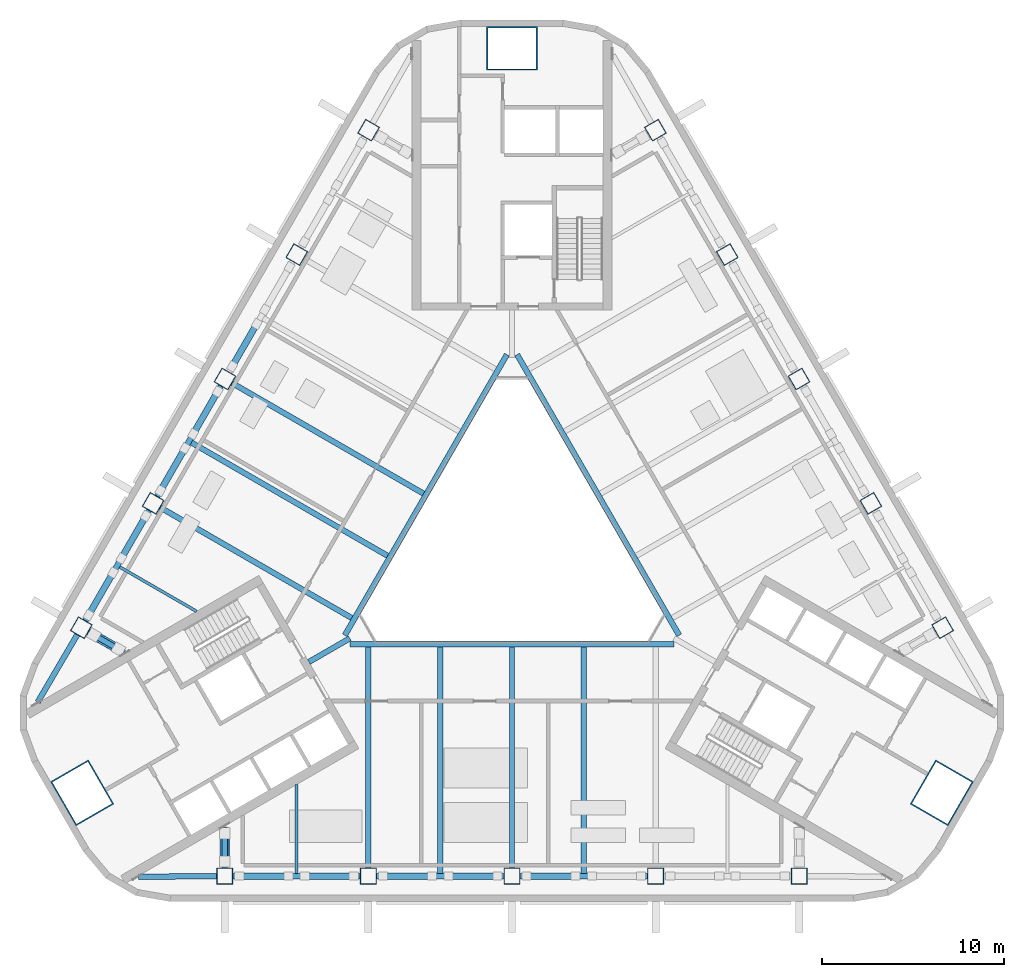
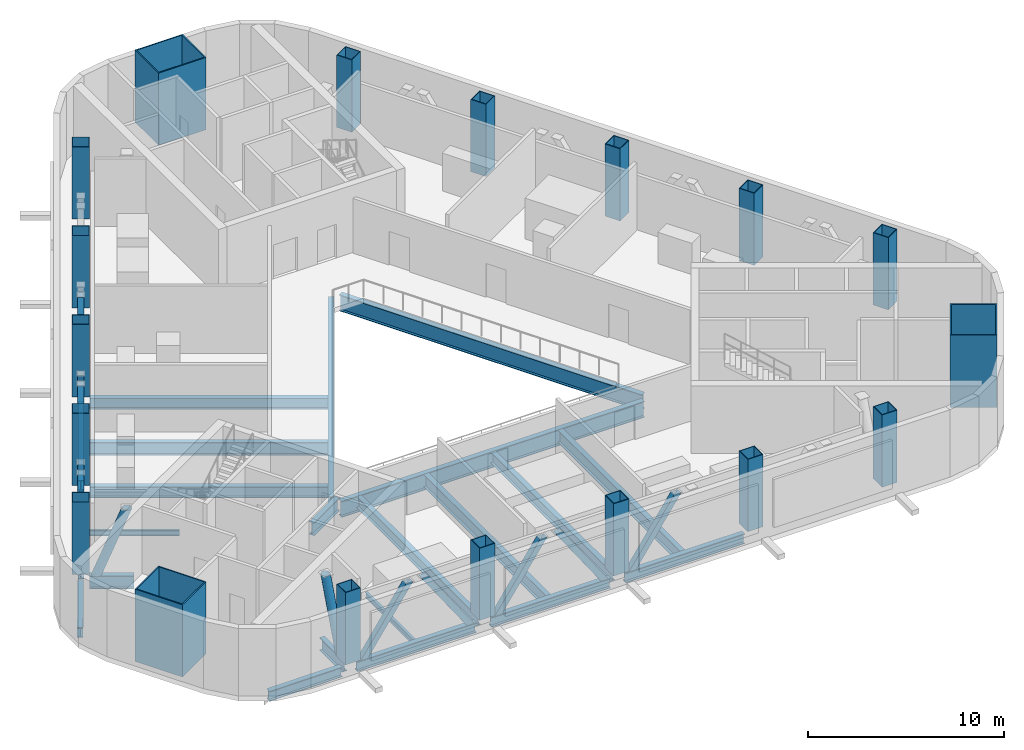
# One storey, part 1 of 15: 21 members, 18 columns, 13 beams.
"""IFC4 building model written with IfcOpenShell, lengths in metres."""

import ifcopenshell
import ifcopenshell.guid

model = None  # the IFC model being written
_history = None  # IfcOwnerHistory: only IFC2X3 demands one
_inside = {}  # id of a spatial element -> (the spatial element, [elements in it])
_under = {}  # id of a project, library or spatial element -> (it, [spatial elements below it])
_declared = {}  # id of a project -> (the project, [libraries it declares])
_typed = {}  # id of a type object -> (the type object, [elements of that type])
_made_of = {}  # id of a material, layer set ... -> (it, [elements and type objects made of it])


def new_model(schema):
    """Start an empty IFC model of exactly this schema.

    Asked for "IFC4X3", IfcOpenShell would pick the latest addendum, in which some entities
    have other attributes; the version numbers below select the first issue.
    IFC2X3 requires an IfcOwnerHistory on every rooted entity: one is made here for all.
    """
    global model, _history
    if schema == "IFC4X3":
        model = ifcopenshell.file(schema_version=(4, 3, 0, 0))
    else:
        model = ifcopenshell.file(schema=schema)
    _inside.clear()
    _under.clear()
    _declared.clear()
    _typed.clear()
    _made_of.clear()
    _history = None
    if model.schema == "IFC2X3":
        org = make("IfcOrganization", Name="unknown")
        user = make(
            "IfcPersonAndOrganization",
            ThePerson=make("IfcPerson", FamilyName="unknown"),
            TheOrganization=org,
        )
        app = make(
            "IfcApplication",
            ApplicationDeveloper=org,
            Version="unknown",
            ApplicationFullName="unknown",
            ApplicationIdentifier="unknown",
        )
        _history = make(
            "IfcOwnerHistory",
            OwningUser=user,
            OwningApplication=app,
            ChangeAction="ADDED",
            CreationDate=0,
        )
    return model


def make(cls, **values):
    """One entity of the class cls with the attributes given. An attribute that is None is left unset."""
    return model.create_entity(
        cls, **{name: value for name, value in values.items() if value is not None}
    )


def rooted(cls, **values):
    """An entity with a GlobalId (a new one), such as an element, a storey or a relation."""
    return make(cls, GlobalId=ifcopenshell.guid.new(), OwnerHistory=_history, **values)


def si_unit(unit_type, name, prefix=None):
    """IfcSIUnit, for example si_unit("LENGTHUNIT", "METRE", prefix="MILLI")."""
    return make("IfcSIUnit", UnitType=unit_type, Prefix=prefix, Name=name)


def assignment(units):
    """IfcUnitAssignment: the units of a project."""
    return None if units is None else make("IfcUnitAssignment", Units=units)


def point(xyz):
    """IfcCartesianPoint."""
    return None if xyz is None else make("IfcCartesianPoint", Coordinates=xyz)


def direction(xyz):
    """IfcDirection."""
    return None if xyz is None else make("IfcDirection", DirectionRatios=xyz)


def frame(location, z_axis=None, x_axis=None):
    """IfcAxis2Placement3D, a coordinate frame: its origin and axes. An axis left out is left unset."""
    return make(
        "IfcAxis2Placement3D",
        Location=point(location),
        Axis=direction(z_axis),
        RefDirection=direction(x_axis),
    )


def frame_2d(location, x_axis=None):
    """IfcAxis2Placement2D, a coordinate frame in the plane: its origin and x axis."""
    return make(
        "IfcAxis2Placement2D", Location=point(location), RefDirection=direction(x_axis)
    )


def origin():
    """The frame at (0, 0, 0) with its axes left unset."""
    return frame((0.0, 0.0, 0.0))


def origin_2d():
    """The frame at (0, 0) in the plane with its x axis left unset."""
    return frame_2d((0.0, 0.0))


def place(relative_to, where):
    """IfcLocalPlacement: puts the frame where relative to a parent placement (None: the world)."""
    return make(
        "IfcLocalPlacement", PlacementRelTo=relative_to, RelativePlacement=where
    )


def context(
    kind, dimensions, precision=None, world=None, true_north=None, identifier=None
):
    """IfcGeometricRepresentationContext, for example the 3D "Model" context."""
    return make(
        "IfcGeometricRepresentationContext",
        ContextIdentifier=identifier,
        ContextType=kind,
        CoordinateSpaceDimension=dimensions,
        Precision=precision,
        WorldCoordinateSystem=world,
        TrueNorth=true_north,
    )


def subcontext(parent, identifier, kind, view, scale=None):
    """IfcGeometricRepresentationSubContext, for example "Body" below "Model"."""
    return make(
        "IfcGeometricRepresentationSubContext",
        ContextIdentifier=identifier,
        ContextType=kind,
        ParentContext=parent,
        TargetScale=scale,
        TargetView=view,
    )


def project(units=None, contexts=None):
    """IfcProject with its units and contexts."""
    return rooted(
        "IfcProject",
        Name="project",
        RepresentationContexts=contexts,
        UnitsInContext=assignment(units),
    )


def spatial(cls, under=None, at=None, **own):
    """A site, building, storey or space (cls), placed at a placement, below another one or the project."""
    s = rooted(cls, ObjectPlacement=at, **own)
    if under is not None:
        _under.setdefault(under.id(), (under, []))[1].append(s)
    return s


def profile(cls, at=None, kind="AREA", **sizes):
    """A parametric profile (cls). Its sizes go by their IFC names, for example OverallWidth=200.0."""
    return make(cls, ProfileType=kind, Position=at, **sizes)


def rectangle(**sizes):
    """IfcRectangleProfileDef."""
    return profile("IfcRectangleProfileDef", **sizes)


def hollow_rectangle(**sizes):
    """IfcRectangleHollowProfileDef."""
    return profile("IfcRectangleHollowProfileDef", **sizes)


def hollow_circle(**sizes):
    """IfcCircleHollowProfileDef."""
    return profile("IfcCircleHollowProfileDef", **sizes)


def i_section(**sizes):
    """IfcIShapeProfileDef."""
    return profile("IfcIShapeProfileDef", **sizes)


def extrude(swept, where, along, depth):
    """IfcExtrudedAreaSolid: the profile swept, set in the frame where, extruded along a direction by depth."""
    return make(
        "IfcExtrudedAreaSolid",
        SweptArea=swept,
        Position=where,
        ExtrudedDirection=direction(along),
        Depth=depth,
    )


def boolean(op, a, b):
    """IfcBooleanResult of two solids."""
    return make("IfcBooleanResult", Operator=op, FirstOperand=a, SecondOperand=b)


def halfspace(plane, agree):
    """IfcHalfSpaceSolid: all space on one side of the plane z = 0 of the frame plane."""
    return make(
        "IfcHalfSpaceSolid",
        BaseSurface=make("IfcPlane", Position=plane),
        AgreementFlag=agree,
    )


def shape(context_of_items, identifier, shape_type, items):
    """IfcShapeRepresentation: the items that make up one representation, for example the "Body"."""
    return make(
        "IfcShapeRepresentation",
        ContextOfItems=context_of_items,
        RepresentationIdentifier=identifier,
        RepresentationType=shape_type,
        Items=items,
    )


def material(Name=None, Category=None):
    """IfcMaterial."""
    return make("IfcMaterial", Name=Name, Category=Category)


def material_profile(
    of_material, cross_section, Name=None, Category=None, Priority=None
):
    """IfcMaterialProfile: a cross section and its material."""
    return make(
        "IfcMaterialProfile",
        Name=Name,
        Material=of_material,
        Profile=cross_section,
        Priority=Priority,
        Category=Category,
    )


def profile_set(profiles, Name=None, composite=None):
    """IfcMaterialProfileSet."""
    return make(
        "IfcMaterialProfileSet",
        Name=Name,
        MaterialProfiles=profiles,
        CompositeProfile=composite,
    )


def made_of(thing, what):
    """Note that an element or type object is made of a material, layer set ...; save() writes the relation."""
    if what is not None:
        _made_of.setdefault(what.id(), (what, []))[1].append(thing)
    return thing


def type_object(cls, material=None, **own):
    """A type object (cls), such as IfcWallType, which elements share."""
    return made_of(rooted(cls, **own), material)


def element(
    cls,
    number,
    at=None,
    inside=None,
    cuts=None,
    type_object=None,
    material=None,
    context=None,
    identifier="Body",
    shape_type=None,
    held_by="IfcProductDefinitionShape",
    body=None,
    shapes=None,
    **own,
):
    """One element of the class cls, such as IfcWall. Its Tag is "e" and its number.

    at: its placement. inside: the storey or other place that contains it. cuts: it is an
    opening in that element (IfcRelVoidsElement). A single representation is given by context,
    identifier, shape_type and body (its items); several are given by shapes. held_by: the class
    of the entity that holds the representations. save() writes the other relations.
    """
    e = rooted(cls, Tag="e%d" % number, ObjectPlacement=at, **own)
    if body is not None:
        shapes = [shape(context, identifier, shape_type, body)]
    if shapes is not None:
        e.Representation = make(held_by, Representations=shapes)
    if inside is not None:
        _inside.setdefault(inside.id(), (inside, []))[1].append(e)
    if cuts is not None:
        rooted(
            "IfcRelVoidsElement", RelatingBuildingElement=cuts, RelatedOpeningElement=e
        )
    if type_object is not None:
        _typed.setdefault(type_object.id(), (type_object, []))[1].append(e)
    return made_of(e, material)


def aggregate(whole, parts):
    """IfcRelAggregates: a whole, such as a stair, and the parts it consists of."""
    return rooted("IfcRelAggregates", RelatingObject=whole, RelatedObjects=parts)


def save(model, path):
    """Write the relations noted so far, then the file.

    IfcRelAggregates (storeys below a building ...), IfcRelContainedInSpatialStructure (elements
    in a storey), IfcRelDefinesByType, IfcRelAssociatesMaterial and IfcRelDeclares: one each for
    every whole, place, type object, material and project.
    """
    for whole, parts in _under.values():
        aggregate(whole, parts)
    for where, things in _inside.values():
        rooted(
            "IfcRelContainedInSpatialStructure",
            RelatedElements=things,
            RelatingStructure=where,
        )
    for kind, things in _typed.values():
        rooted("IfcRelDefinesByType", RelatedObjects=things, RelatingType=kind)
    for what, things in _made_of.values():
        rooted("IfcRelAssociatesMaterial", RelatedObjects=things, RelatingMaterial=what)
    for by, libraries in _declared.values():
        rooted("IfcRelDeclares", RelatingContext=by, RelatedDefinitions=libraries)
    model.write(path)


model = new_model("IFC4")

# Units and contexts
model_context = context("Model", 3, precision=1e-05, world=origin(), true_north=direction((0.0, 1.0)))
body_context = subcontext(model_context, "Body", "Model", "MODEL_VIEW")
ifc_project = project(units=[si_unit("LENGTHUNIT", "METRE"), si_unit("AREAUNIT", "SQUARE_METRE"), si_unit("VOLUMEUNIT", "CUBIC_METRE"), si_unit("PLANEANGLEUNIT", "RADIAN"), si_unit("MASSUNIT", "GRAM", prefix="KILO")], contexts=[model_context])

# Site, building, storey
site_placement = place(None, origin())
site = spatial("IfcSite", under=ifc_project, at=site_placement, CompositionType="ELEMENT")
building_placement = place(site_placement, origin())
building = spatial("IfcBuilding", under=site, at=building_placement, Name="Apuvela Tower Hotel", CompositionType="ELEMENT")
storey_placement = place(building_placement, frame((0.0, 0.0, 137.60009765625)))
storey = spatial("IfcBuildingStorey", under=building, at=storey_placement, Name="L32 Plant", CompositionType="ELEMENT", Elevation=137.60009765625)

# Columns
ifc_material_1 = material(Name="Steel S460", Category="steel")
ifc_material_profile_1 = material_profile(ifc_material_1, hollow_rectangle(XDim=2.800048828125, YDim=2.39990234375, WallThickness=0.070068359375, at=origin_2d()), Name="BOX 2800x2400x70")
ifc_material_2 = material(Name="Concrete C80/95", Category="concrete")
ifc_material_profile_2 = material_profile(ifc_material_2, rectangle(XDim=2.659912109375, YDim=2.260009765625, at=origin_2d()), Name="Concrete C80/95 infill")
ifc_profile_set_1 = profile_set([ifc_material_profile_1, ifc_material_profile_2], Name="Steel S460")
column_type_1 = type_object("IfcColumnType", Name="STR-MC mega column BOX 2800x2400x70", PredefinedType="COLUMN", material=ifc_profile_set_1)
for number, where, z_axis, x_axis, name in (
    (1, (0.0, 27.300048828125, 0.0), (0.0, 0.0, 1.0), (1.0, 0.0, 0.0), "Mega column MC2 N"),
    (2, (-23.642578125, -13.64990234375, 0.0), (0.0, 0.0, 1.0), (-0.5, 0.866025403784, 0.0), "Mega column MC2 SW"),
    (3, (23.642578125, -13.64990234375, 0.0), (0.0, 0.0, 1.0), (0.5, 0.866025403784, 0.0), "Mega column MC2 SE"),
):
    element("IfcColumn", number, at=place(storey_placement, frame(where, z_axis=z_axis, x_axis=x_axis)), inside=storey, type_object=column_type_1, Name=name, PredefinedType="COLUMN", context=body_context, shape_type="SweptSolid", body=[
        extrude(hollow_rectangle(XDim=2.800048828125, YDim=2.39990234375, WallThickness=0.070068359375, at=origin_2d()), origin(), (0.0, 0.0, 1.0), 4.5),
    ])
ifc_material_profile_3 = material_profile(ifc_material_1, hollow_rectangle(XDim=0.89990234375, YDim=0.89990234375, WallThickness=0.0400390625, at=origin_2d()), Name="BOX 900x900x40")
ifc_material_profile_4 = material_profile(ifc_material_2, rectangle(XDim=0.820068359375, YDim=0.820068359375, at=origin_2d()), Name="Concrete C80/95 infill")
ifc_profile_set_2 = profile_set([ifc_material_profile_3, ifc_material_profile_4], Name="Steel S460")
column_type_2 = type_object("IfcColumnType", Name="STR-PC perimeter column BOX 900x900x40", PredefinedType="COLUMN", material=ifc_profile_set_2)
for number, where, z_axis, x_axis, name in (
    (4, (-15.800048828125, -18.22998046875, 0.0), (0.0, 0.0, 1.0), (-1.0, 0.0, 0.0), "Perimeter column C3 S1"),
    (5, (-7.89990234375, -18.22998046875, 0.0), (0.0, 0.0, 1.0), (-1.0, 0.0, 0.0), "Perimeter column C3 S2"),
    (6, (0.0, -18.22998046875, 0.0), (0.0, 0.0, 1.0), (-1.0, 0.0, 0.0), "Perimeter column C3 S3"),
    (7, (7.89990234375, -18.22998046875, 0.0), (0.0, 0.0, 1.0), (-1.0, 0.0, 0.0), "Perimeter column C3 S4"),
    (8, (15.800048828125, -18.22998046875, 0.0), (0.0, 0.0, 1.0), (-1.0, 0.0, 0.0), "Perimeter column C3 S5"),
    (9, (23.6875, -4.568115234375, 0.0), (0.0, 0.0, 1.0), (-0.5, 0.866025403784, 0.0), "Perimeter column C3 NE1"),
    (10, (19.737548828125, 2.2734375, 0.0), (0.0, 0.0, 1.0), (-0.5, 0.866025403784, 0.0), "Perimeter column C3 NE2"),
    (11, (15.78759765625, 9.114990234375, 0.0), (0.0, 0.0, 1.0), (-0.5, 0.866025403784, 0.0), "Perimeter column C3 NE3"),
    (12, (11.837646484375, 15.95654296875, 0.0), (0.0, 0.0, 1.0), (-0.5, 0.866025403784, 0.0), "Perimeter column C3 NE4"),
    (13, (7.8876953125, 22.798095703125, 0.0), (0.0, 0.0, 1.0), (-0.5, 0.866025403784, 0.0), "Perimeter column C3 NE5"),
    (14, (-7.8876953125, 22.798095703125, 0.0), (0.0, 0.0, 1.0), (0.5, 0.866025403784, 0.0), "Perimeter column C3 NW1"),
    (15, (-11.837646484375, 15.95654296875, 0.0), (0.0, 0.0, 1.0), (0.5, 0.866025403784, 0.0), "Perimeter column C3 NW2"),
    (16, (-15.78759765625, 9.114990234375, 0.0), (0.0, 0.0, 1.0), (0.5, 0.866025403784, 0.0), "Perimeter column C3 NW3"),
    (17, (-19.737548828125, 2.2734375, 0.0), (0.0, 0.0, 1.0), (0.5, 0.866025403784, 0.0), "Perimeter column C3 NW4"),
    (18, (-23.6875, -4.568115234375, 0.0), (0.0, 0.0, 1.0), (0.5, 0.866025403784, 0.0), "Perimeter column C3 NW5"),
):
    element("IfcColumn", number, at=place(storey_placement, frame(where, z_axis=z_axis, x_axis=x_axis)), inside=storey, type_object=column_type_2, Name=name, PredefinedType="COLUMN", context=body_context, shape_type="SweptSolid", body=[
        extrude(hollow_rectangle(XDim=0.89990234375, YDim=0.89990234375, WallThickness=0.0400390625, at=origin_2d()), origin(), (0.0, 0.0, 1.0), 4.5),
    ])

# Beams
ifc_material_3 = material(Name="Steel S355", Category="steel")
ifc_material_profile_5 = material_profile(ifc_material_3, i_section(OverallWidth=0.300048828125, OverallDepth=0.68994140625, WebThickness=0.014404296875, FlangeThickness=0.027099609375, at=origin_2d()), Name="HE 700 A")
ifc_profile_set_3 = profile_set([ifc_material_profile_5], Name="Steel S355")
beam_type_1 = type_object("IfcBeamType", Name="STR-B floor beam HE 700 A", PredefinedType="BEAM", material=ifc_profile_set_3)
for number, where, z_axis, x_axis, name in (
    (19, (-15.39794921875, 8.889892578125, -0.64501953125), (0.866028751965, -0.499994200737, 0.0), (0.499994200737, 0.866028751965, 0.0), "Floor beam B6 NW5"),
    (20, (-19.347900390625, 2.04833984375, -0.64501953125), (0.866028751965, -0.499994200737, 0.0), (0.499994200737, 0.866028751965, 0.0), "Floor beam B6 NW7"),
    (21, (-7.89990234375, -17.780029296875, -0.64501953125), (0.0, 1.0, 0.0), (-1.0, 0.0, 0.0), "Floor beam B6 S3"),
    (22, (0.0, -17.780029296875, -0.64501953125), (0.0, 1.0, 0.0), (-1.0, 0.0, 0.0), "Floor beam B6 S5"),
):
    element("IfcBeam", number, at=place(storey_placement, frame(where, z_axis=z_axis, x_axis=x_axis)), inside=storey, type_object=beam_type_1, Name=name, PredefinedType="BEAM", context=body_context, shape_type="SweptSolid", body=[
        extrude(i_section(OverallWidth=0.300048828125, OverallDepth=0.68994140625, WebThickness=0.014404296875, FlangeThickness=0.027099609375, at=origin_2d()), origin(), (0.0, 0.0, 1.0), 12.157958984375),
    ])
ifc_material_profile_6 = material_profile(ifc_material_3, i_section(OverallWidth=0.300048828125, OverallDepth=0.7900390625, WebThickness=0.014892578125, FlangeThickness=0.028076171875, at=origin_2d()), Name="HE 800 A")
ifc_profile_set_4 = profile_set([ifc_material_profile_6], Name="Steel S355")
beam_type_2 = type_object("IfcBeamType", Name="STR-B floor beam HE 800 A", PredefinedType="BEAM", material=ifc_profile_set_4)
beam_1_placement = place(storey_placement, frame((-17.630615234375, 5.617919921875, -0.695068359375), z_axis=(0.866025971963, -0.499999015884, 0.0), x_axis=(0.499999015884, 0.866025971963, 0.0)))
element("IfcBeam", 23, at=beam_1_placement, inside=storey, type_object=beam_type_2, Name="Floor beam B5 NW6", PredefinedType="BEAM", context=body_context, shape_type="SweptSolid", body=[
    extrude(i_section(OverallWidth=0.300048828125, OverallDepth=0.7900390625, WebThickness=0.014892578125, FlangeThickness=0.028076171875, at=origin_2d()), origin(), (0.0, 0.0, 1.0), 12.45556640625),
])
for number, where, z_axis, x_axis, name in (
    (24, (-3.949951171875, -18.077392578125, -0.695068359375), (0.0, 1.0, 0.0), (-1.0, 0.0, 0.0), "Floor beam B5 S4"),
    (25, (3.949951171875, -18.077392578125, -0.695068359375), (0.0, 1.0, 0.0), (-1.0, 0.0, 0.0), "Floor beam B5 S6"),
):
    element("IfcBeam", number, at=place(storey_placement, frame(where, z_axis=z_axis, x_axis=x_axis)), inside=storey, type_object=beam_type_2, Name=name, PredefinedType="BEAM", context=body_context, shape_type="SweptSolid", body=[
        extrude(i_section(OverallWidth=0.300048828125, OverallDepth=0.7900390625, WebThickness=0.014892578125, FlangeThickness=0.028076171875, at=origin_2d()), origin(), (0.0, 0.0, 1.0), 12.455322265625),
    ])
ifc_material_profile_7 = material_profile(ifc_material_3, i_section(OverallWidth=0.159912109375, OverallDepth=0.330078125, WebThickness=0.007568359375, FlangeThickness=0.011474609375, at=origin_2d()), Name="IPE 330")
ifc_profile_set_5 = profile_set([ifc_material_profile_7], Name="Steel S355")
beam_type_3 = type_object("IfcBeamType", Name="STR-B floor beam IPE 330", PredefinedType="BEAM", material=ifc_profile_set_5)
for number, where, z_axis, x_axis, name in (
    (26, (-21.58056640625, -1.2236328125, -0.465087890625), (0.866010805854, -0.500025283505, 0.0), (0.500025283505, 0.866010805854, 0.0), "Floor beam B1 NW8"),
    (27, (-11.85009765625, -18.077392578125, -0.465087890625), (0.0, 1.0, 0.0), (-1.0, 0.0, 0.0), "Floor beam B1 S2"),
):
    element("IfcBeam", number, at=place(storey_placement, frame(where, z_axis=z_axis, x_axis=x_axis)), inside=storey, type_object=beam_type_3, Name=name, PredefinedType="BEAM", context=body_context, shape_type="SweptSolid", body=[
        extrude(i_section(OverallWidth=0.159912109375, OverallDepth=0.330078125, WebThickness=0.007568359375, FlangeThickness=0.011474609375, at=origin_2d()), origin(), (0.0, 0.0, 1.0), 4.885009765625),
    ])
ifc_material_profile_8 = material_profile(ifc_material_3, i_section(OverallWidth=0.302001953125, OverallDepth=1.008056640625, WebThickness=0.02099609375, FlangeThickness=0.0400390625, at=origin_2d()), Name="HE 1000 M")
ifc_profile_set_6 = profile_set([ifc_material_profile_8], Name="Steel S355")
beam_type_4 = type_object("IfcBeamType", Name="STR-G atrium ring girder HE 1000 M", PredefinedType="BEAM", material=ifc_profile_set_6)
for number, where, z_axis, x_axis, name in (
    (28, (-0.28076171875, 10.455810546875, -0.80419921875), (-0.500000611842, -0.866025050537, 0.0), (0.866025050537, -0.500000611842, 0.0), "Atrium ring girder G1 N-SW"),
    (29, (-8.91455078125, -5.470947265625, -0.80419921875), (1.0, 0.0, 0.0), (0.0, 1.0, 0.0), "Atrium ring girder G1 SW-SE"),
    (30, (9.1953125, -4.984619140625, -0.80419921875), (-0.500000611842, 0.866025050537, 0.0), (-0.866025050537, -0.500000611842, 0.0), "Atrium ring girder G1 SE-N"),
):
    element("IfcBeam", number, at=place(storey_placement, frame(where, z_axis=z_axis, x_axis=x_axis)), inside=storey, type_object=beam_type_4, Name=name, PredefinedType="BEAM", context=body_context, shape_type="SweptSolid", body=[
        extrude(i_section(OverallWidth=0.302001953125, OverallDepth=1.008056640625, WebThickness=0.02099609375, FlangeThickness=0.0400390625, at=origin_2d()), origin(), (0.0, 0.0, 1.0), 17.8291015625),
    ])
ifc_material_profile_9 = material_profile(ifc_material_3, i_section(OverallWidth=0.300048828125, OverallDepth=0.800048828125, WebThickness=0.017578125, FlangeThickness=0.032958984375, at=origin_2d()), Name="HE 800 B")
ifc_profile_set_7 = profile_set([ifc_material_profile_9], Name="Steel S355")
beam_type_5 = type_object("IfcBeamType", Name="STR-GT core tie beam HE 800 B", PredefinedType="BEAM", material=ifc_profile_set_7)
beam_2_placement = place(storey_placement, frame((-11.171630859375, -6.449951171875, -0.7001953125), z_axis=(0.865997922154, 0.500047596559, 0.0), x_axis=(-0.500047596559, 0.865997922154, 0.0)))
element("IfcBeam", 31, at=beam_2_placement, inside=storey, type_object=beam_type_5, Name="Core tie beam GT1 SW", PredefinedType="BEAM", context=body_context, shape_type="SweptSolid", body=[
    extrude(i_section(OverallWidth=0.300048828125, OverallDepth=0.800048828125, WebThickness=0.017578125, FlangeThickness=0.032958984375, at=origin_2d()), origin(), (0.0, 0.0, 1.0), 2.599853515625),
])

# Members
ifc_material_profile_10 = material_profile(ifc_material_3, i_section(OverallWidth=0.304931640625, OverallDepth=0.6201171875, WebThickness=0.02099609375, FlangeThickness=0.0400390625, at=origin_2d()), Name="HE 600 M")
ifc_profile_set_8 = profile_set([ifc_material_profile_10], Name="Steel S355")
member_type_1 = type_object("IfcMemberType", Name="STR-T1 belt truss chord HE 600 M", PredefinedType="CHORD", material=ifc_profile_set_8)
for number, where, z_axis, x_axis, name in (
    (32, (-15.35009765625, -18.22998046875, -0.610107421875), (1.0, 0.0, 0.0), (0.0, 1.0, 0.0), "Belt chord BT2 S1"),
    (33, (-7.449951171875, -18.22998046875, -0.610107421875), (1.0, 0.0, 0.0), (0.0, 1.0, 0.0), "Belt chord BT2 S2"),
    (34, (0.449951171875, -18.22998046875, -0.610107421875), (1.0, 0.0, 0.0), (0.0, 1.0, 0.0), "Belt chord BT2 S3"),
    (35, (-16.0126953125, 8.725341796875, -0.610107421875), (-0.499995173006, -0.866028190633, 0.0), (0.866028190633, -0.499995173006, 0.0), "Belt chord BT2 NW3"),
    (36, (-19.962646484375, 1.8837890625, -0.610107421875), (-0.499995173006, -0.866028190633, 0.0), (0.866028190633, -0.499995173006, 0.0), "Belt chord BT2 NW4"),
):
    element("IfcMember", number, at=place(storey_placement, frame(where, z_axis=z_axis, x_axis=x_axis)), inside=storey, type_object=member_type_1, Name=name, PredefinedType="CHORD", context=body_context, shape_type="SweptSolid", body=[
        extrude(i_section(OverallWidth=0.304931640625, OverallDepth=0.6201171875, WebThickness=0.02099609375, FlangeThickness=0.0400390625, at=origin_2d()), origin(), (0.0, 0.0, 1.0), 7.0),
    ])
member_1_placement = place(storey_placement, frame((-16.25, -18.233154296875, -0.610107421875), z_axis=(-0.999976421641, -0.006867034451, 0.0), x_axis=(0.006867034451, -0.999976421641, 0.0)))
element("IfcMember", 37, at=member_1_placement, inside=storey, type_object=member_type_1, Name="Belt chord BT2 S1-SW", PredefinedType="CHORD", context=body_context, shape_type="SweptSolid", body=[
    extrude(i_section(OverallWidth=0.304931640625, OverallDepth=0.6201171875, WebThickness=0.02099609375, FlangeThickness=0.0400390625, at=origin_2d()), origin(), (0.0, 0.0, 1.0), 4.3017578125),
])
member_2_placement = place(storey_placement, frame((-23.915283203125, -4.956298828125, -0.610107421875), z_axis=(-0.505940864677, -0.862568166263, 0.0), x_axis=(0.862568166263, -0.505940864677, 0.0)))
element("IfcMember", 38, at=member_2_placement, inside=storey, type_object=member_type_1, Name="Belt chord BT2 NW5-SW", PredefinedType="CHORD", context=body_context, shape_type="SweptSolid", body=[
    extrude(i_section(OverallWidth=0.304931640625, OverallDepth=0.6201171875, WebThickness=0.02099609375, FlangeThickness=0.0400390625, at=origin_2d()), origin(), (0.0, 0.0, 1.0), 4.302001953125),
])
ifc_material_profile_11 = material_profile(ifc_material_3, hollow_rectangle(XDim=0.35009765625, YDim=0.35009765625, WallThickness=0.01611328125, at=origin_2d()), Name="SHS 350x350x16")
ifc_profile_set_9 = profile_set([ifc_material_profile_11], Name="Steel S355")
member_type_2 = type_object("IfcMemberType", Name="STR-T1 belt truss diagonal SHS 350x350x16", PredefinedType="BRACE", material=ifc_profile_set_9)
member_3_placement = place(storey_placement, frame((-15.0, -18.22998046875, -0.300048828125), z_axis=(0.568226338322, 0.0, 0.822872303846), x_axis=(-0.822872303846, 0.0, 0.568226338322)))
solid_1 = boolean("DIFFERENCE", boolean("DIFFERENCE", extrude(hollow_rectangle(XDim=0.35009765625, YDim=0.35009765625, WallThickness=0.01611328125, at=origin_2d()), frame((0.0, 0.0, -0.24072265625)), (0.0, 0.0, 1.0), 5.233154296875), halfspace(frame((0.0, 0.0, 0.024169921875), z_axis=(0.568226338322, 0.0, 0.822872303846), x_axis=(0.822872303846, 0.0, -0.568226338322)), True)), halfspace(frame((0.0, 0.0, 4.727294921875), z_axis=(0.568226338322, 0.0, 0.822872303846), x_axis=(0.822872303846, 0.0, -0.568226338322)), False))
element("IfcMember", 39, at=member_3_placement, inside=storey, type_object=member_type_2, Name="Belt truss diagonal BR2 S1", PredefinedType="BRACE", context=body_context, shape_type="SweptSolid", body=[
    boolean("UNION", boolean("DIFFERENCE", boolean("DIFFERENCE", extrude(hollow_rectangle(XDim=0.35009765625, YDim=0.35009765625, WallThickness=0.01611328125, at=origin_2d()), origin(), (0.0, 0.0, 1.0), 4.75146484375), halfspace(frame((0.0, 0.0, 0.024169921875), z_axis=(0.568226338322, 0.0, 0.822872303846), x_axis=(0.822872303846, 0.0, -0.568226338322)), True)), halfspace(frame((0.0, 0.0, 4.727294921875), z_axis=(0.568226338322, 0.0, 0.822872303846), x_axis=(0.822872303846, 0.0, -0.568226338322)), False)), solid_1),
])
member_4_placement = place(storey_placement, frame((-8.699951171875, -18.22998046875, -0.300048828125), z_axis=(-0.568226338322, 0.0, 0.822872303846), x_axis=(0.822872303846, 0.0, 0.568226338322)))
solid_2 = boolean("DIFFERENCE", boolean("DIFFERENCE", extrude(hollow_rectangle(XDim=0.35009765625, YDim=0.35009765625, WallThickness=0.01611328125, at=origin_2d()), frame((0.0, 0.0, -0.24072265625)), (0.0, 0.0, 1.0), 5.233154296875), halfspace(frame((0.0, 0.0, 0.024169921875), z_axis=(0.568226338322, 0.0, 0.822872303846), x_axis=(0.822872303846, 0.0, -0.568226338322)), True)), halfspace(frame((0.0, 0.0, 4.727294921875), z_axis=(0.568226338322, 0.0, 0.822872303846), x_axis=(0.822872303846, 0.0, -0.568226338322)), False))
element("IfcMember", 40, at=member_4_placement, inside=storey, type_object=member_type_2, Name="Belt truss diagonal BR2 S1", PredefinedType="BRACE", context=body_context, shape_type="SweptSolid", body=[
    boolean("UNION", boolean("DIFFERENCE", boolean("DIFFERENCE", extrude(hollow_rectangle(XDim=0.35009765625, YDim=0.35009765625, WallThickness=0.01611328125, at=origin_2d()), origin(), (0.0, 0.0, 1.0), 4.75146484375), halfspace(frame((0.0, 0.0, 0.024169921875), z_axis=(0.568226338322, 0.0, 0.822872303846), x_axis=(0.822872303846, 0.0, -0.568226338322)), True)), halfspace(frame((0.0, 0.0, 4.727294921875), z_axis=(0.568226338322, 0.0, 0.822872303846), x_axis=(0.822872303846, 0.0, -0.568226338322)), False)), solid_2),
])
member_5_placement = place(storey_placement, frame((-7.10009765625, -18.22998046875, -0.300048828125), z_axis=(0.568261128078, 0.0, 0.822848279038), x_axis=(-0.822848279038, 0.0, 0.568261128078)))
solid_3 = boolean("DIFFERENCE", boolean("DIFFERENCE", extrude(hollow_rectangle(XDim=0.35009765625, YDim=0.35009765625, WallThickness=0.01611328125, at=origin_2d()), frame((0.0, 0.0, -0.24072265625)), (0.0, 0.0, 1.0), 5.2333984375), halfspace(frame((0.0, 0.0, 0.024169921875), z_axis=(0.568261128078, 0.0, 0.822848279038), x_axis=(0.822848279038, 0.0, -0.568261128078)), True)), halfspace(frame((0.0, 0.0, 4.7275390625), z_axis=(0.568261128078, 0.0, 0.822848279038), x_axis=(0.822848279038, 0.0, -0.568261128078)), False))
element("IfcMember", 41, at=member_5_placement, inside=storey, type_object=member_type_2, Name="Belt truss diagonal BR2 S2", PredefinedType="BRACE", context=body_context, shape_type="SweptSolid", body=[
    boolean("UNION", boolean("DIFFERENCE", boolean("DIFFERENCE", extrude(hollow_rectangle(XDim=0.35009765625, YDim=0.35009765625, WallThickness=0.01611328125, at=origin_2d()), origin(), (0.0, 0.0, 1.0), 4.751708984375), halfspace(frame((0.0, 0.0, 0.024169921875), z_axis=(0.568261128078, 0.0, 0.822848279038), x_axis=(0.822848279038, 0.0, -0.568261128078)), True)), halfspace(frame((0.0, 0.0, 4.7275390625), z_axis=(0.568261128078, 0.0, 0.822848279038), x_axis=(0.822848279038, 0.0, -0.568261128078)), False)), solid_3),
])
member_6_placement = place(storey_placement, frame((-0.800048828125, -18.22998046875, -0.300048828125), z_axis=(-0.568226338322, 0.0, 0.822872303846), x_axis=(0.822872303846, 0.0, 0.568226338322)))
solid_4 = boolean("DIFFERENCE", boolean("DIFFERENCE", extrude(hollow_rectangle(XDim=0.35009765625, YDim=0.35009765625, WallThickness=0.01611328125, at=origin_2d()), frame((0.0, 0.0, -0.24072265625)), (0.0, 0.0, 1.0), 5.233154296875), halfspace(frame((0.0, 0.0, 0.024169921875), z_axis=(0.568226338322, 0.0, 0.822872303846), x_axis=(0.822872303846, 0.0, -0.568226338322)), True)), halfspace(frame((0.0, 0.0, 4.727294921875), z_axis=(0.568226338322, 0.0, 0.822872303846), x_axis=(0.822872303846, 0.0, -0.568226338322)), False))
element("IfcMember", 42, at=member_6_placement, inside=storey, type_object=member_type_2, Name="Belt truss diagonal BR2 S2", PredefinedType="BRACE", context=body_context, shape_type="SweptSolid", body=[
    boolean("UNION", boolean("DIFFERENCE", boolean("DIFFERENCE", extrude(hollow_rectangle(XDim=0.35009765625, YDim=0.35009765625, WallThickness=0.01611328125, at=origin_2d()), origin(), (0.0, 0.0, 1.0), 4.75146484375), halfspace(frame((0.0, 0.0, 0.024169921875), z_axis=(0.568226338322, 0.0, 0.822872303846), x_axis=(0.822872303846, 0.0, -0.568226338322)), True)), halfspace(frame((0.0, 0.0, 4.727294921875), z_axis=(0.568226338322, 0.0, 0.822872303846), x_axis=(0.822872303846, 0.0, -0.568226338322)), False)), solid_4),
])
member_7_placement = place(storey_placement, frame((0.800048828125, -18.22998046875, -0.300048828125), z_axis=(0.568226338322, 0.0, 0.822872303846), x_axis=(-0.822872303846, 0.0, 0.568226338322)))
solid_5 = boolean("DIFFERENCE", boolean("DIFFERENCE", extrude(hollow_rectangle(XDim=0.35009765625, YDim=0.35009765625, WallThickness=0.01611328125, at=origin_2d()), frame((0.0, 0.0, -0.24072265625)), (0.0, 0.0, 1.0), 5.233154296875), halfspace(frame((0.0, 0.0, 0.024169921875), z_axis=(0.568226338322, 0.0, 0.822872303846), x_axis=(0.822872303846, 0.0, -0.568226338322)), True)), halfspace(frame((0.0, 0.0, 4.727294921875), z_axis=(0.568226338322, 0.0, 0.822872303846), x_axis=(0.822872303846, 0.0, -0.568226338322)), False))
element("IfcMember", 43, at=member_7_placement, inside=storey, type_object=member_type_2, Name="Belt truss diagonal BR2 S3", PredefinedType="BRACE", context=body_context, shape_type="SweptSolid", body=[
    boolean("UNION", boolean("DIFFERENCE", boolean("DIFFERENCE", extrude(hollow_rectangle(XDim=0.35009765625, YDim=0.35009765625, WallThickness=0.01611328125, at=origin_2d()), origin(), (0.0, 0.0, 1.0), 4.75146484375), halfspace(frame((0.0, 0.0, 0.024169921875), z_axis=(0.568226338322, 0.0, 0.822872303846), x_axis=(0.822872303846, 0.0, -0.568226338322)), True)), halfspace(frame((0.0, 0.0, 4.727294921875), z_axis=(0.568226338322, 0.0, 0.822872303846), x_axis=(0.822872303846, 0.0, -0.568226338322)), False)), solid_5),
])
member_8_placement = place(storey_placement, frame((-15.3876953125, 9.807861328125, -0.300048828125), z_axis=(0.284139479452, 0.492080252209, 0.822874098269), x_axis=(-0.411477031999, -0.712606787604, 0.568223739734)))
solid_6 = boolean("DIFFERENCE", boolean("DIFFERENCE", extrude(hollow_rectangle(XDim=0.35009765625, YDim=0.35009765625, WallThickness=0.01611328125, at=origin_2d()), frame((0.0, 0.0, -0.24072265625)), (0.0, 0.0, 1.0), 5.233154296875), halfspace(frame((0.0, 0.0, 0.024169921875), z_axis=(0.568223739734, 0.0, 0.822874098269), x_axis=(0.822874098269, 0.0, -0.568223739734)), True)), halfspace(frame((0.0, 0.0, 4.727294921875), z_axis=(0.568223739734, 0.0, 0.822874098269), x_axis=(0.822874098269, 0.0, -0.568223739734)), False))
element("IfcMember", 44, at=member_8_placement, inside=storey, type_object=member_type_2, Name="Belt truss diagonal BR2 NW2", PredefinedType="BRACE", context=body_context, shape_type="SweptSolid", body=[
    boolean("UNION", boolean("DIFFERENCE", boolean("DIFFERENCE", extrude(hollow_rectangle(XDim=0.35009765625, YDim=0.35009765625, WallThickness=0.01611328125, at=origin_2d()), origin(), (0.0, 0.0, 1.0), 4.75146484375), halfspace(frame((0.0, 0.0, 0.024169921875), z_axis=(0.568223739734, 0.0, 0.822874098269), x_axis=(0.822874098269, 0.0, -0.568223739734)), True)), halfspace(frame((0.0, 0.0, 4.727294921875), z_axis=(0.568223739734, 0.0, 0.822874098269), x_axis=(0.822874098269, 0.0, -0.568223739734)), False)), solid_6),
])
member_9_placement = place(storey_placement, frame((-16.1875, 8.422119140625, -0.300048828125), z_axis=(-0.284139479452, -0.492080252209, 0.822874098269), x_axis=(0.411477031999, 0.712606787604, 0.568223739734)))
solid_7 = boolean("DIFFERENCE", boolean("DIFFERENCE", extrude(hollow_rectangle(XDim=0.35009765625, YDim=0.35009765625, WallThickness=0.01611328125, at=origin_2d()), frame((0.0, 0.0, -0.24072265625)), (0.0, 0.0, 1.0), 5.233154296875), halfspace(frame((0.0, 0.0, 0.024169921875), z_axis=(0.568223739734, 0.0, 0.822874098269), x_axis=(0.822874098269, 0.0, -0.568223739734)), True)), halfspace(frame((0.0, 0.0, 4.727294921875), z_axis=(0.568223739734, 0.0, 0.822874098269), x_axis=(0.822874098269, 0.0, -0.568223739734)), False))
element("IfcMember", 45, at=member_9_placement, inside=storey, type_object=member_type_2, Name="Belt truss diagonal BR2 NW3", PredefinedType="BRACE", context=body_context, shape_type="SweptSolid", body=[
    boolean("UNION", boolean("DIFFERENCE", boolean("DIFFERENCE", extrude(hollow_rectangle(XDim=0.35009765625, YDim=0.35009765625, WallThickness=0.01611328125, at=origin_2d()), origin(), (0.0, 0.0, 1.0), 4.75146484375), halfspace(frame((0.0, 0.0, 0.024169921875), z_axis=(0.568223739734, 0.0, 0.822874098269), x_axis=(0.822874098269, 0.0, -0.568223739734)), True)), halfspace(frame((0.0, 0.0, 4.727294921875), z_axis=(0.568223739734, 0.0, 0.822874098269), x_axis=(0.822874098269, 0.0, -0.568223739734)), False)), solid_7),
])
member_10_placement = place(storey_placement, frame((-19.337646484375, 2.96630859375, -0.300048828125), z_axis=(0.284139479452, 0.492080252209, 0.822874098269), x_axis=(-0.411477031999, -0.712606787604, 0.568223739734)))
solid_8 = boolean("DIFFERENCE", boolean("DIFFERENCE", extrude(hollow_rectangle(XDim=0.35009765625, YDim=0.35009765625, WallThickness=0.01611328125, at=origin_2d()), frame((0.0, 0.0, -0.24072265625)), (0.0, 0.0, 1.0), 5.233154296875), halfspace(frame((0.0, 0.0, 0.024169921875), z_axis=(0.568223739734, 0.0, 0.822874098269), x_axis=(0.822874098269, 0.0, -0.568223739734)), True)), halfspace(frame((0.0, 0.0, 4.727294921875), z_axis=(0.568223739734, 0.0, 0.822874098269), x_axis=(0.822874098269, 0.0, -0.568223739734)), False))
element("IfcMember", 46, at=member_10_placement, inside=storey, type_object=member_type_2, Name="Belt truss diagonal BR2 NW3", PredefinedType="BRACE", context=body_context, shape_type="SweptSolid", body=[
    boolean("UNION", boolean("DIFFERENCE", boolean("DIFFERENCE", extrude(hollow_rectangle(XDim=0.35009765625, YDim=0.35009765625, WallThickness=0.01611328125, at=origin_2d()), origin(), (0.0, 0.0, 1.0), 4.75146484375), halfspace(frame((0.0, 0.0, 0.024169921875), z_axis=(0.568223739734, 0.0, 0.822874098269), x_axis=(0.822874098269, 0.0, -0.568223739734)), True)), halfspace(frame((0.0, 0.0, 4.727294921875), z_axis=(0.568223739734, 0.0, 0.822874098269), x_axis=(0.822874098269, 0.0, -0.568223739734)), False)), solid_8),
])
member_11_placement = place(storey_placement, frame((-20.1376953125, 1.58056640625, -0.300048828125), z_axis=(-0.284085062007, -0.492126374373, 0.822865304404), x_axis=(0.411384611104, 0.712649991888, 0.568236474374)))
solid_9 = boolean("DIFFERENCE", boolean("DIFFERENCE", extrude(hollow_rectangle(XDim=0.35009765625, YDim=0.35009765625, WallThickness=0.01611328125, at=origin_2d()), frame((0.0, 0.0, -0.24072265625)), (0.0, 0.0, 1.0), 5.233154296875), halfspace(frame((0.0, 0.0, 0.024169921875), z_axis=(0.568236474374, 0.0, 0.822865304404), x_axis=(0.822865304404, 0.0, -0.568236474374)), True)), halfspace(frame((0.0, 0.0, 4.727294921875), z_axis=(0.568236474374, 0.0, 0.822865304404), x_axis=(0.822865304404, 0.0, -0.568236474374)), False))
element("IfcMember", 47, at=member_11_placement, inside=storey, type_object=member_type_2, Name="Belt truss diagonal BR2 NW4", PredefinedType="BRACE", context=body_context, shape_type="SweptSolid", body=[
    boolean("UNION", boolean("DIFFERENCE", boolean("DIFFERENCE", extrude(hollow_rectangle(XDim=0.35009765625, YDim=0.35009765625, WallThickness=0.01611328125, at=origin_2d()), origin(), (0.0, 0.0, 1.0), 4.75146484375), halfspace(frame((0.0, 0.0, 0.024169921875), z_axis=(0.568236474374, 0.0, 0.822865304404), x_axis=(0.822865304404, 0.0, -0.568236474374)), True)), halfspace(frame((0.0, 0.0, 4.727294921875), z_axis=(0.568236474374, 0.0, 0.822865304404), x_axis=(0.822865304404, 0.0, -0.568236474374)), False)), solid_9),
])
member_12_placement = place(storey_placement, frame((-23.28759765625, -3.87548828125, -0.300048828125), z_axis=(0.284132295223, 0.492119190533, 0.822853292586), x_axis=(-0.411434409305, -0.712607372934, 0.568253868337)))
solid_10 = boolean("DIFFERENCE", boolean("DIFFERENCE", extrude(hollow_rectangle(XDim=0.35009765625, YDim=0.35009765625, WallThickness=0.01611328125, at=origin_2d()), frame((0.0, 0.0, -0.24072265625)), (0.0, 0.0, 1.0), 5.233154296875), halfspace(frame((0.0, 0.0, 0.024169921875), z_axis=(0.568253868337, 0.0, 0.822853292586), x_axis=(0.822853292586, 0.0, -0.568253868337)), True)), halfspace(frame((0.0, 0.0, 4.727294921875), z_axis=(0.568253868337, 0.0, 0.822853292586), x_axis=(0.822853292586, 0.0, -0.568253868337)), False))
element("IfcMember", 48, at=member_12_placement, inside=storey, type_object=member_type_2, Name="Belt truss diagonal BR2 NW4", PredefinedType="BRACE", context=body_context, shape_type="SweptSolid", body=[
    boolean("UNION", boolean("DIFFERENCE", boolean("DIFFERENCE", extrude(hollow_rectangle(XDim=0.35009765625, YDim=0.35009765625, WallThickness=0.01611328125, at=origin_2d()), origin(), (0.0, 0.0, 1.0), 4.751708984375), halfspace(frame((0.0, 0.0, 0.024169921875), z_axis=(0.568253868337, 0.0, 0.822853292586), x_axis=(0.822853292586, 0.0, -0.568253868337)), True)), halfspace(frame((0.0, 0.0, 4.727294921875), z_axis=(0.568253868337, 0.0, 0.822853292586), x_axis=(0.822853292586, 0.0, -0.568253868337)), False)), solid_10),
])
ifc_material_profile_12 = material_profile(ifc_material_3, i_section(OverallWidth=0.302978515625, OverallDepth=0.81396484375, WebThickness=0.02099609375, FlangeThickness=0.0400390625, at=origin_2d()), Name="HE 800 M")
ifc_profile_set_10 = profile_set([ifc_material_profile_12], Name="Steel S355")
member_type_3 = type_object("IfcMemberType", Name="STR-T1 outrigger truss chord HE 800 M", PredefinedType="CHORD", material=ifc_profile_set_10)
for number, where, z_axis, x_axis, name in (
    (49, (-23.2978515625, -4.793212890625, -0.70703125), (0.866014732592, -0.500018482592, 0.0), (0.500018482592, 0.866014732592, 0.0), "Outrigger chord OC2 NW5"),
    (50, (-15.800048828125, -17.780029296875, -0.70703125), (0.0, 1.0, 0.0), (-1.0, 0.0, 0.0), "Outrigger chord OC2 S1"),
):
    element("IfcMember", number, at=place(storey_placement, frame(where, z_axis=z_axis, x_axis=x_axis)), inside=storey, type_object=member_type_3, Name=name, PredefinedType="CHORD", context=body_context, shape_type="SweptSolid", body=[
        extrude(i_section(OverallWidth=0.302978515625, OverallDepth=0.81396484375, WebThickness=0.02099609375, FlangeThickness=0.0400390625, at=origin_2d()), origin(), (0.0, 0.0, 1.0), 2.2607421875),
    ])
ifc_material_profile_13 = material_profile(ifc_material_3, hollow_circle(Radius=0.25390625, WallThickness=0.02001953125, at=origin_2d()), Name="CHS 508x20")
ifc_profile_set_11 = profile_set([ifc_material_profile_13], Name="Steel S355")
member_type_4 = type_object("IfcMemberType", Name="STR-T1 outrigger truss diagonal CHS 508x20", PredefinedType="BRACE", material=ifc_profile_set_11)
member_13_placement = place(storey_placement, frame((-22.994873046875, -4.96826171875, -0.300048828125), z_axis=(0.303608504902, -0.175245219734, 0.936542037877), x_axis=(-0.811119204521, 0.468184391846, 0.350555289917)))
solid_11 = boolean("DIFFERENCE", boolean("DIFFERENCE", extrude(hollow_circle(Radius=0.25390625, WallThickness=0.02001953125, at=origin_2d()), frame((0.0, 0.0, -0.215087890625)), (0.0, 0.0, 1.0), 4.882568359375), halfspace(frame((0.0, 0.0, 0.021240234375), z_axis=(0.350555289917, 0.0, 0.936542037877), x_axis=(0.936542037877, 0.0, -0.350555289917)), True)), halfspace(frame((0.0, 0.0, 4.43115234375), z_axis=(0.350555289917, 0.0, 0.936542037877), x_axis=(0.936542037877, 0.0, -0.350555289917)), False))
element("IfcMember", 51, at=member_13_placement, inside=storey, type_object=member_type_4, Name="Outrigger diagonal OD2 NW5", PredefinedType="BRACE", context=body_context, shape_type="SweptSolid", body=[
    boolean("UNION", boolean("DIFFERENCE", boolean("DIFFERENCE", extrude(hollow_circle(Radius=0.25390625, WallThickness=0.02001953125, at=origin_2d()), origin(), (0.0, 0.0, 1.0), 4.452392578125), halfspace(frame((0.0, 0.0, 0.021240234375), z_axis=(0.350555289917, 0.0, 0.936542037877), x_axis=(0.936542037877, 0.0, -0.350555289917)), True)), halfspace(frame((0.0, 0.0, 4.43115234375), z_axis=(0.350555289917, 0.0, 0.936542037877), x_axis=(0.936542037877, 0.0, -0.350555289917)), False)), solid_11),
])
member_14_placement = place(storey_placement, frame((-15.800048828125, -17.429931640625, -0.300048828125), z_axis=(0.0, 0.350546503168, 0.936545326782), x_axis=(0.0, -0.936545326782, 0.350546503168)))
solid_12 = boolean("DIFFERENCE", boolean("DIFFERENCE", extrude(hollow_circle(Radius=0.25390625, WallThickness=0.02001953125, at=origin_2d()), frame((0.0, 0.0, -0.215087890625)), (0.0, 0.0, 1.0), 4.882568359375), halfspace(frame((0.0, 0.0, 0.021240234375), z_axis=(0.350546503168, 0.0, 0.936545326782), x_axis=(0.936545326782, 0.0, -0.350546503168)), True)), halfspace(frame((0.0, 0.0, 4.43115234375), z_axis=(0.350546503168, 0.0, 0.936545326782), x_axis=(0.936545326782, 0.0, -0.350546503168)), False))
element("IfcMember", 52, at=member_14_placement, inside=storey, type_object=member_type_4, Name="Outrigger diagonal OD2 S1", PredefinedType="BRACE", context=body_context, shape_type="SweptSolid", body=[
    boolean("UNION", boolean("DIFFERENCE", boolean("DIFFERENCE", extrude(hollow_circle(Radius=0.25390625, WallThickness=0.02001953125, at=origin_2d()), origin(), (0.0, 0.0, 1.0), 4.452392578125), halfspace(frame((0.0, 0.0, 0.021240234375), z_axis=(0.350546503168, 0.0, 0.936545326782), x_axis=(0.936545326782, 0.0, -0.350546503168)), True)), halfspace(frame((0.0, 0.0, 4.43115234375), z_axis=(0.350546503168, 0.0, 0.936545326782), x_axis=(0.936545326782, 0.0, -0.350546503168)), False)), solid_12),
])

save(model, "model.ifc")
